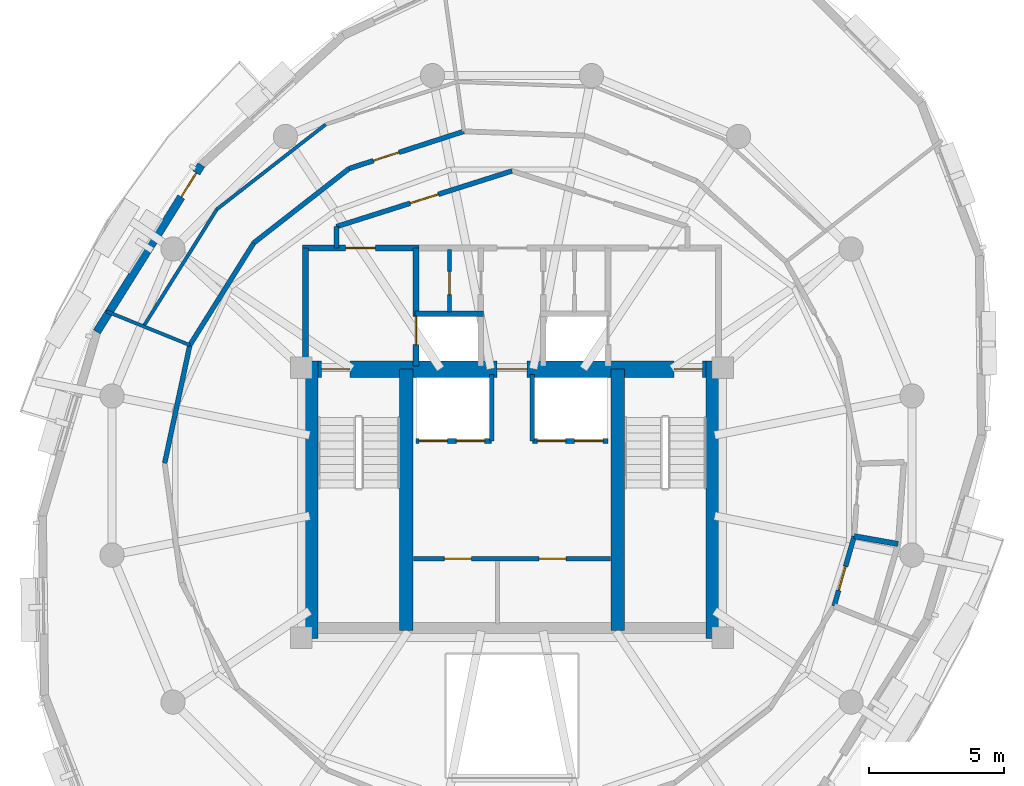
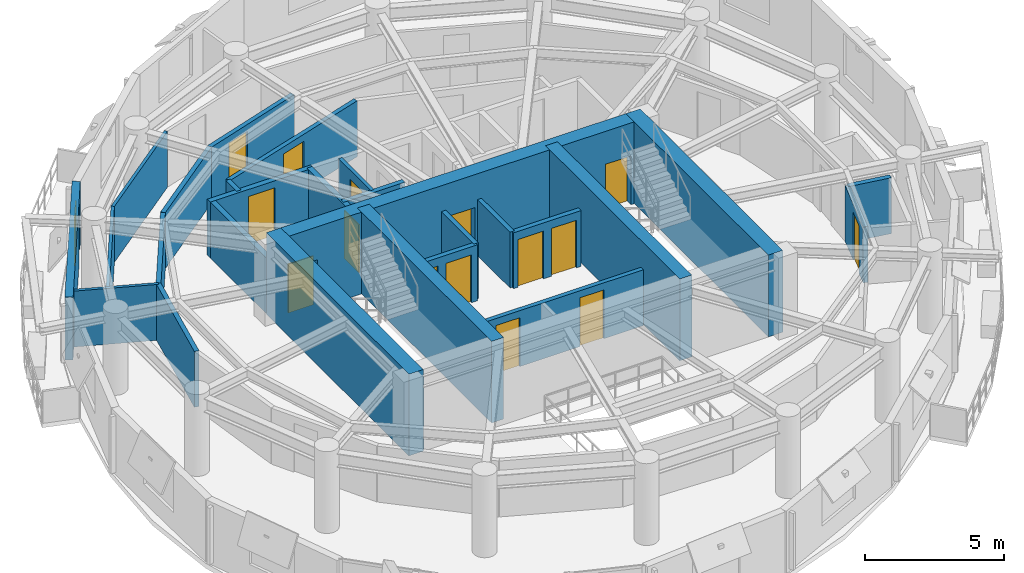
# One storey, part 7 of 11: 27 walls, 16 doors, 16 openings.
"""IFC4 building model written with IfcOpenShell, lengths in metres."""

from ifc_helpers import new_model, si_unit, direction, frame, frame_2d, origin, place, context, subcontext, project, spatial, rectangle, extrude, material, layer, layer_set, type_object, element, fill, save


model = new_model("IFC4")

# Units and contexts
model_context = context("Model", 3, precision=1e-05, world=origin(), true_north=direction((0.0, 1.0)))
body_context = subcontext(model_context, "Body", "Model", "MODEL_VIEW")
ifc_project = project(units=[si_unit("LENGTHUNIT", "METRE"), si_unit("AREAUNIT", "SQUARE_METRE"), si_unit("VOLUMEUNIT", "CUBIC_METRE"), si_unit("PLANEANGLEUNIT", "RADIAN"), si_unit("MASSUNIT", "GRAM", prefix="KILO"), si_unit("THERMODYNAMICTEMPERATUREUNIT", "KELVIN"), si_unit("POWERUNIT", "WATT")], contexts=[model_context])

# Site, building, storey
site_placement = place(None, origin())
site = spatial("IfcSite", under=ifc_project, at=site_placement, CompositionType="ELEMENT")
building_placement = place(site_placement, origin())
building = spatial("IfcBuilding", under=site, at=building_placement, Name="Ocrelia Relay Tower", CompositionType="ELEMENT")
storey_placement = place(building_placement, frame((0.0, 0.0, 270.0)))
storey = spatial("IfcBuildingStorey", under=building, at=storey_placement, Name="L67", CompositionType="ELEMENT", Elevation=270.0)

# Wall, openings, doors
ifc_material_1 = material(Name="Concrete C50/60", Category="concrete")
ifc_layer_1 = layer(ifc_material_1, 0.60009765625, Name="Concrete C50/60")
ifc_layer_set_1 = layer_set([ifc_layer_1], Name="Concrete C50/60")
wall_type_1 = type_object("IfcWallType", Name="CW-CORE-600B", PredefinedType="SHEAR", material=ifc_layer_set_1)
wall_1_placement = place(storey_placement, frame((26.221923828125, 29.93798828125, 0.0), z_axis=(0.0, 0.0, 1.0), x_axis=(1.0, 0.0, 0.0)))
wall_1 = element("IfcWall", 1, at=wall_1_placement, inside=storey, type_object=wall_type_1, Name="L67 Core Shear Wall N", PredefinedType="SHEAR", context=body_context, shape_type="SweptSolid", body=[
    extrude(rectangle(XDim=15.566162109375, YDim=0.60009765625, at=frame_2d((7.783203125, 0.0))), origin(), (0.0, 0.0, 1.0), 3.60009765625),
])
opening_1_placement = place(wall_1_placement, frame((0.72802734375, 0.0, 0.0)))
opening_1 = element("IfcOpeningElement", 2, at=opening_1_placement, cuts=wall_1, Name="Opening D-FD90", PredefinedType="OPENING", context=body_context, shape_type="SweptSolid", body=[
    extrude(rectangle(XDim=1.050048828125, YDim=2.14990234375, at=frame_2d((0.52490234375, 1.074951171875))), frame((0.0, 0.31005859375, 0.0), z_axis=(0.0, -1.0, 0.0), x_axis=(1.0, 0.0, 0.0)), (0.0, 0.0, 1.0), 0.6201171875),
])
opening_2_placement = place(wall_1_placement, frame((13.778076171875, 0.0, 0.0)))
opening_2 = element("IfcOpeningElement", 3, at=opening_2_placement, cuts=wall_1, Name="Opening D-FD90", PredefinedType="OPENING", context=body_context, shape_type="SweptSolid", body=[
    extrude(rectangle(XDim=1.050048828125, YDim=2.14990234375, at=frame_2d((0.52490234375, 1.074951171875))), frame((0.0, 0.31005859375, 0.0), z_axis=(0.0, -1.0, 0.0), x_axis=(1.0, 0.0, 0.0)), (0.0, 0.0, 1.0), 0.6201171875),
])
opening_3_placement = place(wall_1_placement, frame((7.22802734375, 0.0, 0.0)))
opening_3 = element("IfcOpeningElement", 4, at=opening_3_placement, cuts=wall_1, Name="Opening D-FD60", PredefinedType="OPENING", context=body_context, shape_type="SweptSolid", body=[
    extrude(rectangle(XDim=1.10009765625, YDim=2.14990234375, at=frame_2d((0.550048828125, 1.074951171875))), frame((0.0, 0.31005859375, 0.0), z_axis=(0.0, -1.0, 0.0), x_axis=(1.0, 0.0, 0.0)), (0.0, 0.0, 1.0), 0.6201171875),
])
ifc_material_2 = material(Name="Timber-core 60-min acoustic fire door", Category="wood")
door_type_1 = type_object("IfcDoorType", Name="DR-LOBBY-FD60-1100", OperationType="NOTDEFINED", PredefinedType="DOOR", material=ifc_material_2)
door_1_placement = place(opening_3_placement, origin())
door_1 = element("IfcDoor", 5, at=door_1_placement, inside=storey, type_object=door_type_1, Name="L67 Core Lift Lobby North Fire Door", OperationType="SINGLE_SWING_RIGHT", OverallHeight=2.14990234375, OverallWidth=1.10009765625, PredefinedType="DOOR", context=body_context, shape_type="SweptSolid", body=[
    extrude(rectangle(XDim=1.10009765625, YDim=2.14990234375, at=frame_2d((0.550048828125, 1.074951171875))), frame((0.0, 0.02490234375, 0.0), z_axis=(0.0, -1.0, 0.0), x_axis=(1.0, 0.0, 0.0)), (0.0, 0.0, 1.0), 0.050048828125),
])
fill(opening_3, door_1)
ifc_material_3 = material(Name="Steel S355 90-min fire door", Category="steel")
door_type_2 = type_object("IfcDoorType", Name="DR-STAIR-FD90-1050", OperationType="NOTDEFINED", PredefinedType="DOOR", material=ifc_material_3)
door_2_placement = place(opening_1_placement, origin())
door_2 = element("IfcDoor", 6, at=door_2_placement, inside=storey, type_object=door_type_2, Name="L67 Stair ST1 Fire Door", OperationType="SINGLE_SWING_RIGHT", OverallHeight=2.14990234375, OverallWidth=1.050048828125, PredefinedType="DOOR", context=body_context, shape_type="SweptSolid", body=[
    extrude(rectangle(XDim=1.050048828125, YDim=2.14990234375, at=frame_2d((0.52490234375, 1.074951171875))), frame((0.0, 0.02490234375, 0.0), z_axis=(0.0, -1.0, 0.0), x_axis=(1.0, 0.0, 0.0)), (0.0, 0.0, 1.0), 0.050048828125),
])
fill(opening_1, door_2)
door_3_placement = place(opening_2_placement, origin())
door_3 = element("IfcDoor", 7, at=door_3_placement, inside=storey, type_object=door_type_2, Name="L67 Stair ST2 Fire Door", OperationType="SINGLE_SWING_LEFT", OverallHeight=2.14990234375, OverallWidth=1.050048828125, PredefinedType="DOOR", context=body_context, shape_type="SweptSolid", body=[
    extrude(rectangle(XDim=1.050048828125, YDim=2.14990234375, at=frame_2d((0.52490234375, 1.074951171875))), frame((0.0, 0.02490234375, 0.0), z_axis=(0.0, -1.0, 0.0), x_axis=(1.0, 0.0, 0.0)), (0.0, 0.0, 1.0), 0.050048828125),
])
fill(opening_2, door_3)

# Walls
for number, where, z_axis, x_axis, name in (
    (8, (26.52197265625, 19.9619140625, 0.0), (0.0, 0.0, 1.0), (0.0, 1.0, 0.0), "L67 Core Shear Wall W"),
    (9, (41.488037109375, 19.9619140625, 0.0), (0.0, 0.0, 1.0), (0.0, 1.0, 0.0), "L67 Core Shear Wall E"),
):
    element("IfcWall", number, at=place(storey_placement, frame(where, z_axis=z_axis, x_axis=x_axis)), inside=storey, type_object=wall_type_1, Name=name, PredefinedType="SHEAR", context=body_context, shape_type="SweptSolid", body=[
        extrude(rectangle(XDim=10.276123046875, YDim=0.60009765625, at=frame_2d((5.13818359375, 0.0))), origin(), (0.0, 0.0, 1.0), 3.60009765625),
    ])
for number, where, z_axis, x_axis, name in (
    (10, (30.087890625, 20.261962890625, 0.0), (0.0, 0.0, 1.0), (0.0, 1.0, 0.0), "L67 Core Shear Wall SPW"),
    (11, (37.922119140625, 20.261962890625, 0.0), (0.0, 0.0, 1.0), (0.0, 1.0, 0.0), "L67 Core Shear Wall SPE"),
):
    element("IfcWall", number, at=place(storey_placement, frame(where, z_axis=z_axis, x_axis=x_axis)), inside=storey, type_object=wall_type_1, Name=name, PredefinedType="SHEAR", context=body_context, shape_type="SweptSolid", body=[
        extrude(rectangle(XDim=9.676025390625, YDim=0.5, at=frame_2d((4.837890625, 0.0))), origin(), (0.0, 0.0, 1.0), 3.60009765625),
    ])

# Wall, openings, doors
ifc_material_4 = material(Name="Gypsum Fireboard Partition EI60", Category="gypsum")
ifc_layer_2 = layer(ifc_material_4, 0.179931640625, Name="Gypsum Fireboard Partition EI60")
ifc_layer_set_2 = layer_set([ifc_layer_2], Name="Gypsum Fireboard Partition EI60")
wall_type_2 = type_object("IfcWallType", Name="W-CORR-EI60-180", PredefinedType="PARTITIONING", material=ifc_layer_set_2)
wall_2_placement = place(storey_placement, frame((30.35009765625, 22.919921875, 0.0), z_axis=(0.0, 0.0, 1.0), x_axis=(1.0, 0.0, 0.0)))
wall_2 = element("IfcWall", 12, at=wall_2_placement, inside=storey, type_object=wall_type_2, Name="L67 Reclaimed Core Room Partition", PredefinedType="PARTITIONING", context=body_context, shape_type="SweptSolid", body=[
    extrude(rectangle(XDim=7.2998046875, YDim=0.179931640625, at=frame_2d((3.64990234375, 0.0))), origin(), (0.0, 0.0, 1.0), 2.4599609375),
])
opening_4_placement = place(wall_2_placement, frame((1.14990234375, 0.0, 0.0)))
opening_4 = element("IfcOpeningElement", 13, at=opening_4_placement, cuts=wall_2, Name="Opening D-RM100", PredefinedType="OPENING", context=body_context, shape_type="SweptSolid", body=[
    extrude(rectangle(XDim=1.0, YDim=2.14990234375, at=frame_2d((0.5, 1.074951171875))), frame((0.0, 0.10009765625, 0.0), z_axis=(0.0, -1.0, 0.0), x_axis=(1.0, 0.0, 0.0)), (0.0, 0.0, 1.0), 0.199951171875),
])
opening_5_placement = place(wall_2_placement, frame((4.64990234375, 0.0, 0.0)))
opening_5 = element("IfcOpeningElement", 14, at=opening_5_placement, cuts=wall_2, Name="Opening D-RM100", PredefinedType="OPENING", context=body_context, shape_type="SweptSolid", body=[
    extrude(rectangle(XDim=1.0, YDim=2.14990234375, at=frame_2d((0.5, 1.074951171875))), frame((0.0, 0.10009765625, 0.0), z_axis=(0.0, -1.0, 0.0), x_axis=(1.0, 0.0, 0.0)), (0.0, 0.0, 1.0), 0.199951171875),
])
ifc_material_5 = material(Name="Acoustic oak veneer fire door", Category="wood")
door_type_3 = type_object("IfcDoorType", Name="DR-ROOM-FD60-1000", OperationType="NOTDEFINED", PredefinedType="DOOR", material=ifc_material_5)
door_4_placement = place(opening_4_placement, origin())
door_4 = element("IfcDoor", 15, at=door_4_placement, inside=storey, type_object=door_type_3, Name="L67 Reclaimed Core Room 1 Door", OperationType="SINGLE_SWING_RIGHT", OverallHeight=2.14990234375, OverallWidth=1.0, PredefinedType="DOOR", context=body_context, shape_type="SweptSolid", body=[
    extrude(rectangle(XDim=1.0, YDim=2.14990234375, at=frame_2d((0.5, 1.074951171875))), frame((0.0, 0.02490234375, 0.0), z_axis=(0.0, -1.0, 0.0), x_axis=(1.0, 0.0, 0.0)), (0.0, 0.0, 1.0), 0.050048828125),
])
fill(opening_4, door_4)
door_5_placement = place(opening_5_placement, origin())
door_5 = element("IfcDoor", 16, at=door_5_placement, inside=storey, type_object=door_type_3, Name="L67 Reclaimed Core Room 2 Door", OperationType="SINGLE_SWING_LEFT", OverallHeight=2.14990234375, OverallWidth=1.0, PredefinedType="DOOR", context=body_context, shape_type="SweptSolid", body=[
    extrude(rectangle(XDim=1.0, YDim=2.14990234375, at=frame_2d((0.5, 1.074951171875))), frame((0.0, 0.02490234375, 0.0), z_axis=(0.0, -1.0, 0.0), x_axis=(1.0, 0.0, 0.0)), (0.0, 0.0, 1.0), 0.050048828125),
])
fill(opening_5, door_5)

# Wall
wall_3_placement = place(storey_placement, frame((27.5, 34.429931640625, 0.0), z_axis=(0.0, 0.0, 1.0), x_axis=(0.0, 1.0, 0.0)))
element("IfcWall", 17, at=wall_3_placement, inside=storey, type_object=wall_type_2, Name="L67 Smoke Lobby West Return", PredefinedType="PARTITIONING", context=body_context, shape_type="SweptSolid", body=[
    extrude(rectangle(XDim=0.7890625, YDim=0.179931640625, at=frame_2d((0.39453125, 0.0))), origin(), (0.0, 0.0, 1.0), 2.4599609375),
])

# Wall, opening, door
wall_4_placement = place(storey_placement, frame((27.5, 35.218994140625, 0.0), z_axis=(0.0, 0.0, 1.0), x_axis=(0.953228121756, 0.302251795518, 0.0)))
wall_4 = element("IfcWall", 18, at=wall_4_placement, inside=storey, type_object=wall_type_2, Name="L67 North Smoke Lobby W Screen Wall", PredefinedType="PARTITIONING", context=body_context, shape_type="SweptSolid", body=[
    extrude(rectangle(XDim=6.81884765625, YDim=0.179931640625, at=frame_2d((3.409423828125, 0.0))), origin(), (0.0, 0.0, 1.0), 2.4599609375),
])
opening_6_placement = place(wall_4_placement, frame((2.859619140625, 0.0, 0.0)))
opening_6 = element("IfcOpeningElement", 19, at=opening_6_placement, cuts=wall_4, Name="Opening D-FD60", PredefinedType="OPENING", context=body_context, shape_type="SweptSolid", body=[
    extrude(rectangle(XDim=1.10009765625, YDim=2.14990234375, at=frame_2d((0.550048828125, 1.074951171875))), frame((0.0, 0.10009765625, 0.0), z_axis=(0.0, -1.0, 0.0), x_axis=(1.0, 0.0, 0.0)), (0.0, 0.0, 1.0), 0.199951171875),
])
door_6_placement = place(opening_6_placement, origin())
door_6 = element("IfcDoor", 20, at=door_6_placement, inside=storey, type_object=door_type_1, Name="L67 North Smoke Lobby W Fire Door", OperationType="SINGLE_SWING_RIGHT", OverallHeight=2.14990234375, OverallWidth=1.10009765625, PredefinedType="DOOR", context=body_context, shape_type="SweptSolid", body=[
    extrude(rectangle(XDim=1.10009765625, YDim=2.14990234375, at=frame_2d((0.550048828125, 1.074951171875))), frame((0.0, 0.02490234375, 0.0), z_axis=(0.0, -1.0, 0.0), x_axis=(1.0, 0.0, 0.0)), (0.0, 0.0, 1.0), 0.050048828125),
])
fill(opening_6, door_6)

wall_5_placement = place(storey_placement, frame((45.9287109375, 21.16845703125, 0.0), z_axis=(0.0, 0.0, 1.0), x_axis=(0.27648237713, 0.961018987917, 0.0)))
wall_5 = element("IfcWall", 21, at=wall_5_placement, inside=storey, type_object=wall_type_2, Name="L67 Staff Toilet Corridor Wall", PredefinedType="PARTITIONING", context=body_context, shape_type="SweptSolid", body=[
    extrude(rectangle(XDim=2.690673828125, YDim=0.179931640625, at=frame_2d((1.34521484375, 0.0))), origin(), (0.0, 0.0, 1.0), 2.4599609375),
])
opening_7_placement = place(wall_5_placement, frame((0.603271484375, 0.0, 0.0)))
opening_7 = element("IfcOpeningElement", 22, at=opening_7_placement, cuts=wall_5, Name="Opening D-WC92", PredefinedType="OPENING", context=body_context, shape_type="SweptSolid", body=[
    extrude(rectangle(XDim=0.919921875, YDim=2.10009765625, at=frame_2d((0.4599609375, 1.050048828125))), frame((0.0, 0.10009765625, 0.0), z_axis=(0.0, -1.0, 0.0), x_axis=(1.0, 0.0, 0.0)), (0.0, 0.0, 1.0), 0.199951171875),
])
ifc_material_6 = material(Name="Laminate washroom door", Category="wood")
door_type_4 = type_object("IfcDoorType", Name="DR-WC-920", OperationType="NOTDEFINED", PredefinedType="DOOR", material=ifc_material_6)
door_7_placement = place(opening_7_placement, origin())
door_7 = element("IfcDoor", 23, at=door_7_placement, inside=storey, type_object=door_type_4, Name="L67 Staff Toilet Door", OperationType="SINGLE_SWING_RIGHT", OverallHeight=2.10009765625, OverallWidth=0.919921875, PredefinedType="DOOR", context=body_context, shape_type="SweptSolid", body=[
    extrude(rectangle(XDim=0.919921875, YDim=2.10009765625, at=frame_2d((0.4599609375, 1.050048828125))), frame((0.0, 0.02490234375, 0.0), z_axis=(0.0, -1.0, 0.0), x_axis=(1.0, 0.0, 0.0)), (0.0, 0.0, 1.0), 0.050048828125),
])
fill(opening_7, door_7)

wall_6_placement = place(storey_placement, frame((32.219970703125, 38.746337890625, 0.0), z_axis=(0.0, 0.0, 1.0), x_axis=(-0.951331063375, -0.30817074465, 0.0)))
wall_6 = element("IfcWall", 24, at=wall_6_placement, inside=storey, type_object=wall_type_2, Name="L67 Antenna Chamber Studio Corridor Partition 1", PredefinedType="PARTITIONING", context=body_context, shape_type="SweptSolid", body=[
    extrude(rectangle(XDim=4.4697265625, YDim=0.179931640625, at=frame_2d((2.23486328125, 0.0))), origin(), (0.0, 0.0, 1.0), 2.4599609375),
])
opening_8_placement = place(wall_6_placement, frame((2.52734375, 0.0, 0.0)))
opening_8 = element("IfcOpeningElement", 25, at=opening_8_placement, cuts=wall_6, Name="Opening D-RM100", PredefinedType="OPENING", context=body_context, shape_type="SweptSolid", body=[
    extrude(rectangle(XDim=1.0, YDim=2.14990234375, at=frame_2d((0.5, 1.074951171875))), frame((0.0, 0.10009765625, 0.0), z_axis=(0.0, -1.0, 0.0), x_axis=(1.0, 0.0, 0.0)), (0.0, 0.0, 1.0), 0.199951171875),
])
door_8_placement = place(opening_8_placement, origin())
door_8 = element("IfcDoor", 26, at=door_8_placement, inside=storey, type_object=door_type_3, Name="L67 Antenna Chamber Studio Entrance Door", OperationType="SINGLE_SWING_LEFT", OverallHeight=2.14990234375, OverallWidth=1.0, PredefinedType="DOOR", context=body_context, shape_type="SweptSolid", body=[
    extrude(rectangle(XDim=1.0, YDim=2.14990234375, at=frame_2d((0.5, 1.074951171875))), frame((0.0, 0.02490234375, 0.0), z_axis=(0.0, -1.0, 0.0), x_axis=(1.0, 0.0, 0.0)), (0.0, 0.0, 1.0), 0.050048828125),
])
fill(opening_8, door_8)

# Walls
for number, where, z_axis, x_axis, name in (
    (27, (27.9677734375, 37.368896484375, 0.0), (0.0, 0.0, 1.0), (-0.78855157168, -0.614968632371, 0.0), "L67 Antenna Chamber Studio Corridor Partition 2"),
    (28, (24.443115234375, 34.6201171875, 0.0), (0.0, 0.0, 1.0), (-0.53063705057, -0.847599150874, 0.0), "L67 Antenna Chamber Studio Corridor Partition 3"),
):
    element("IfcWall", number, at=place(storey_placement, frame(where, z_axis=z_axis, x_axis=x_axis)), inside=storey, type_object=wall_type_2, Name=name, PredefinedType="PARTITIONING", context=body_context, shape_type="SweptSolid", body=[
        extrude(rectangle(XDim=4.4697265625, YDim=0.179931640625, at=frame_2d((2.23486328125, 0.0))), origin(), (0.0, 0.0, 1.0), 2.4599609375),
    ])
wall_7_placement = place(storey_placement, frame((22.0712890625, 30.83154296875, 0.0), z_axis=(0.0, 0.0, 1.0), x_axis=(-0.208768037522, -0.977965186757, 0.0)))
element("IfcWall", 29, at=wall_7_placement, inside=storey, type_object=wall_type_2, Name="L67 Satellite Telemetry Lab Corridor Partition 1", PredefinedType="PARTITIONING", context=body_context, shape_type="SweptSolid", body=[
    extrude(rectangle(XDim=4.469482421875, YDim=0.179931640625, at=frame_2d((2.23486328125, 0.0))), origin(), (0.0, 0.0, 1.0), 2.4599609375),
])

# Wall, opening, door
ifc_material_7 = material(Name="Precast concrete C40/50 with oxide terracotta", Category="masonry")
ifc_layer_3 = layer(ifc_material_7, 0.300048828125, Name="Precast concrete C40/50 with oxide terracotta")
ifc_layer_set_3 = layer_set([ifc_layer_3], Name="Precast concrete C40/50 with oxide terracotta")
wall_type_3 = type_object("IfcWallType", Name="W-EXT-TERR-300", PredefinedType="SOLIDWALL", material=ifc_layer_set_3)
wall_8_placement = place(storey_placement, frame((22.496337890625, 37.504638671875, 0.0), z_axis=(0.0, 0.0, 1.0), x_axis=(-0.530648729616, -0.847591839129, 0.0)))
wall_8 = element("IfcWall", 30, at=wall_8_placement, inside=storey, type_object=wall_type_3, Name="L67 Oxide Terracotta Facade Wall 05", PredefinedType="SOLIDWALL", context=body_context, shape_type="SweptSolid", body=[
    extrude(rectangle(XDim=7.293212890625, YDim=0.300048828125, at=frame_2d((3.646484375, 0.0))), origin(), (0.0, 0.0, 1.0), 2.760009765625),
])
opening_9_placement = place(wall_8_placement, frame((0.35009765625, 0.0, 0.0)))
opening_9 = element("IfcOpeningElement", 31, at=opening_9_placement, cuts=wall_8, Name="Opening DB-105", PredefinedType="OPENING", context=body_context, shape_type="SweptSolid", body=[
    extrude(rectangle(XDim=1.050048828125, YDim=2.14990234375, at=frame_2d((0.52490234375, 1.074951171875))), frame((0.0, 0.16015625, 0.0), z_axis=(0.0, -1.0, 0.0), x_axis=(1.0, 0.0, 0.0)), (0.0, 0.0, 1.0), 0.320068359375),
])
ifc_material_8 = material(Name="Thermally broken aluminium and clear glass", Category="aluminium")
door_type_5 = type_object("IfcDoorType", Name="DR-BALC-1050", OperationType="NOTDEFINED", PredefinedType="DOOR", material=ifc_material_8)
door_9_placement = place(opening_9_placement, origin())
door_9 = element("IfcDoor", 32, at=door_9_placement, inside=storey, type_object=door_type_5, Name="L67 Planted Loggia Balcony Door B1", OperationType="SINGLE_SWING_LEFT", OverallHeight=2.14990234375, OverallWidth=1.050048828125, PredefinedType="DOOR", context=body_context, shape_type="SweptSolid", body=[
    extrude(rectangle(XDim=1.050048828125, YDim=2.14990234375, at=frame_2d((0.52490234375, 1.074951171875))), frame((0.0, 0.02490234375, 0.0), z_axis=(0.0, -1.0, 0.0), x_axis=(1.0, 0.0, 0.0)), (0.0, 0.0, 1.0), 0.050048828125),
])
fill(opening_9, door_9)

# Wall
ifc_layer_4 = layer(ifc_material_1, 0.219970703125, Name="Concrete C50/60")
ifc_layer_set_4 = layer_set([ifc_layer_4], Name="Concrete C50/60")
wall_type_4 = type_object("IfcWallType", Name="W-FFL-EI120-220", PredefinedType="SOLIDWALL", material=ifc_layer_set_4)
wall_9_placement = place(storey_placement, frame((26.35009765625, 30.050048828125, 0.0), z_axis=(0.0, 0.0, 1.0), x_axis=(0.0, 1.0, 0.0)))
element("IfcWall", 33, at=wall_9_placement, inside=storey, type_object=wall_type_4, Name="L67 W Fire Service Lift Lobby West Wall", PredefinedType="SOLIDWALL", context=body_context, shape_type="SweptSolid", body=[
    extrude(rectangle(XDim=4.3798828125, YDim=0.219970703125, at=frame_2d((2.18994140625, 0.0))), origin(), (0.0, 0.0, 1.0), 2.4599609375),
])

# Wall, opening, door
wall_10_placement = place(storey_placement, frame((30.43994140625, 30.050048828125, 0.0), z_axis=(0.0, 0.0, 1.0), x_axis=(0.0, 1.0, 0.0)))
wall_10 = element("IfcWall", 34, at=wall_10_placement, inside=storey, type_object=wall_type_4, Name="L67 W Fire Service Lift Lobby East Wall", PredefinedType="SOLIDWALL", context=body_context, shape_type="SweptSolid", body=[
    extrude(rectangle(XDim=4.3798828125, YDim=0.219970703125, at=frame_2d((2.18994140625, 0.0))), origin(), (0.0, 0.0, 1.0), 2.4599609375),
])
opening_10_placement = place(wall_10_placement, frame((0.800048828125, 0.0, 0.0)))
opening_10 = element("IfcOpeningElement", 35, at=opening_10_placement, cuts=wall_10, Name="Opening LD-FFL1", PredefinedType="OPENING", context=body_context, shape_type="SweptSolid", body=[
    extrude(rectangle(XDim=1.050048828125, YDim=2.10009765625, at=frame_2d((0.52490234375, 1.050048828125))), frame((0.0, 0.1201171875, 0.0), z_axis=(0.0, -1.0, 0.0), x_axis=(1.0, 0.0, 0.0)), (0.0, 0.0, 1.0), 0.239990234375),
])
ifc_material_9 = material(Name="Brushed stainless steel S355 lift landing door", Category="steel")
door_type_6 = type_object("IfcDoorType", Name="DR-LIFT-LAND-1050", OperationType="DOUBLE_DOOR_SLIDING", PredefinedType="USERDEFINED", material=ifc_material_9)
door_10_placement = place(opening_10_placement, origin())
door_10 = element("IfcDoor", 36, at=door_10_placement, inside=storey, type_object=door_type_6, Name="L67 Firefighting Lift FFL1 Sliding Landing Door", ObjectType="LANDING DOOR", OperationType="DOUBLE_DOOR_SLIDING", OverallHeight=2.10009765625, OverallWidth=1.050048828125, PredefinedType="USERDEFINED", context=body_context, shape_type="SweptSolid", body=[
    extrude(rectangle(XDim=1.050048828125, YDim=2.10009765625, at=frame_2d((0.52490234375, 1.050048828125))), frame((0.0, 0.02490234375, 0.0), z_axis=(0.0, -1.0, 0.0), x_axis=(1.0, 0.0, 0.0)), (0.0, 0.0, 1.0), 0.050048828125),
])
fill(opening_10, door_10)

wall_11_placement = place(storey_placement, frame((26.239990234375, 34.429931640625, 0.0), z_axis=(0.0, 0.0, 1.0), x_axis=(1.0, 0.0, 0.0)))
wall_11 = element("IfcWall", 37, at=wall_11_placement, inside=storey, type_object=wall_type_4, Name="L67 W Fire Service Lift Lobby North Wall", PredefinedType="SOLIDWALL", context=body_context, shape_type="SweptSolid", body=[
    extrude(rectangle(XDim=4.31005859375, YDim=0.219970703125, at=frame_2d((2.155029296875, 0.0))), origin(), (0.0, 0.0, 1.0), 2.4599609375),
])
opening_11_placement = place(wall_11_placement, frame((1.60009765625, 0.0, 0.0)))
opening_11 = element("IfcOpeningElement", 38, at=opening_11_placement, cuts=wall_11, Name="Opening D-FD60", PredefinedType="OPENING", context=body_context, shape_type="SweptSolid", body=[
    extrude(rectangle(XDim=1.10009765625, YDim=2.14990234375, at=frame_2d((0.550048828125, 1.074951171875))), frame((0.0, 0.1201171875, 0.0), z_axis=(0.0, -1.0, 0.0), x_axis=(1.0, 0.0, 0.0)), (0.0, 0.0, 1.0), 0.239990234375),
])
door_11_placement = place(opening_11_placement, origin())
door_11 = element("IfcDoor", 39, at=door_11_placement, inside=storey, type_object=door_type_1, Name="L67 W Fire Service Lift Lobby Exit Door", OperationType="SINGLE_SWING_LEFT", OverallHeight=2.14990234375, OverallWidth=1.10009765625, PredefinedType="DOOR", context=body_context, shape_type="SweptSolid", body=[
    extrude(rectangle(XDim=1.10009765625, YDim=2.14990234375, at=frame_2d((0.550048828125, 1.074951171875))), frame((0.0, 0.02490234375, 0.0), z_axis=(0.0, -1.0, 0.0), x_axis=(1.0, 0.0, 0.0)), (0.0, 0.0, 1.0), 0.050048828125),
])
fill(opening_11, door_11)

# Walls
ifc_material_10 = material(Name="Acoustic Fireboard Partition EI60", Category="gypsum")
ifc_layer_5 = layer(ifc_material_10, 0.125, Name="Acoustic Fireboard Partition EI60")
ifc_layer_set_5 = layer_set([ifc_layer_5], Name="Acoustic Fireboard Partition EI60")
wall_type_5 = type_object("IfcWallType", Name="W-PART-125", PredefinedType="PARTITIONING", material=ifc_layer_set_5)
wall_12_placement = place(storey_placement, frame((22.0712890625, 30.83154296875, 0.0), z_axis=(0.0, 0.0, 1.0), x_axis=(-0.92686060816, 0.375405664637, 0.0)))
element("IfcWall", 40, at=wall_12_placement, inside=storey, type_object=wall_type_5, Name="L67 Antenna Chamber Studio Radial Partition", PredefinedType="PARTITIONING", context=body_context, shape_type="SweptSolid", body=[
    extrude(rectangle(XDim=3.3310546875, YDim=0.125, at=frame_2d((1.66552734375, 0.0))), origin(), (0.0, 0.0, 1.0), 2.4599609375),
])
wall_13_placement = place(storey_placement, frame((27.1005859375, 39.0029296875, 0.0), z_axis=(0.0, 0.0, 1.0), x_axis=(-0.78853889841, -0.614984882492, 0.0)))
element("IfcWall", 41, at=wall_13_placement, inside=storey, type_object=wall_type_5, Name="L67 Perimeter Antenna Chamber Studio Mid-Ring Partition 2", PredefinedType="PARTITIONING", context=body_context, shape_type="SweptSolid", body=[
    extrude(rectangle(XDim=5.112060546875, YDim=0.125, at=frame_2d((2.55615234375, 0.0))), origin(), (0.0, 0.0, 1.0), 2.4599609375),
])
wall_14_placement = place(storey_placement, frame((23.069580078125, 35.859130859375, 0.0), z_axis=(0.0, 0.0, 1.0), x_axis=(-0.530668436663, -0.84757950089, 0.0)))
element("IfcWall", 42, at=wall_14_placement, inside=storey, type_object=wall_type_5, Name="L67 Perimeter Antenna Chamber Studio Mid-Ring Partition 3", PredefinedType="PARTITIONING", context=body_context, shape_type="SweptSolid", body=[
    extrude(rectangle(XDim=5.1123046875, YDim=0.125, at=frame_2d((2.55615234375, 0.0))), origin(), (0.0, 0.0, 1.0), 2.4599609375),
])

# Wall, opening, door
ifc_layer_6 = layer(ifc_material_10, 0.14990234375, Name="Acoustic Fireboard Partition EI60")
ifc_layer_set_6 = layer_set([ifc_layer_6], Name="Acoustic Fireboard Partition EI60")
wall_type_6 = type_object("IfcWallType", Name="W-PART-150", PredefinedType="PARTITIONING", material=ifc_layer_set_6)
wall_15_placement = place(storey_placement, frame((31.68994140625, 32.050048828125, 0.0), z_axis=(0.0, 0.0, 1.0), x_axis=(0.0, 1.0, 0.0)))
wall_15 = element("IfcWall", 43, at=wall_15_placement, inside=storey, type_object=wall_type_6, Name="L67 West Core Support Partition", PredefinedType="PARTITIONING", context=body_context, shape_type="SweptSolid", body=[
    extrude(rectangle(XDim=2.329833984375, YDim=0.14990234375, at=frame_2d((1.1650390625, 0.0))), origin(), (0.0, 0.0, 1.0), 2.4599609375),
])
opening_12_placement = place(wall_15_placement, frame((0.64990234375, 0.0, 0.0)))
opening_12 = element("IfcOpeningElement", 44, at=opening_12_placement, cuts=wall_15, Name="Opening D-RS86", PredefinedType="OPENING", context=body_context, shape_type="SweptSolid", body=[
    extrude(rectangle(XDim=0.860107421875, YDim=2.050048828125, at=frame_2d((0.43017578125, 1.02490234375))), frame((0.0, 0.0849609375, 0.0), z_axis=(0.0, -1.0, 0.0), x_axis=(1.0, 0.0, 0.0)), (0.0, 0.0, 1.0), 0.169921875),
])
ifc_material_11 = material(Name="Steel S355 riser access fire door", Category="steel")
door_type_7 = type_object("IfcDoorType", Name="DR-RISER-TRAP-860", OperationType="NOTDEFINED", PredefinedType="TRAPDOOR", material=ifc_material_11)
door_12_placement = place(opening_12_placement, origin())
door_12 = element("IfcDoor", 45, at=door_12_placement, inside=storey, type_object=door_type_7, Name="L67 West Core Store Connecting Door", OperationType="SINGLE_SWING_RIGHT", OverallHeight=2.050048828125, OverallWidth=0.860107421875, PredefinedType="TRAPDOOR", context=body_context, shape_type="SweptSolid", body=[
    extrude(rectangle(XDim=0.860107421875, YDim=2.050048828125, at=frame_2d((0.43017578125, 1.02490234375))), frame((0.0, 0.02490234375, 0.0), z_axis=(0.0, -1.0, 0.0), x_axis=(1.0, 0.0, 0.0)), (0.0, 0.0, 1.0), 0.050048828125),
])
fill(opening_12, door_12)

# Walls
ifc_material_12 = material(Name="Moisture-Resistant Fireboard Chase Wall EI60", Category="gypsum")
ifc_layer_7 = layer(ifc_material_12, 0.199951171875, Name="Moisture-Resistant Fireboard Chase Wall EI60")
ifc_layer_set_7 = layer_set([ifc_layer_7], Name="Moisture-Resistant Fireboard Chase Wall EI60")
wall_type_7 = type_object("IfcWallType", Name="W-PLUMB-200", PredefinedType="PLUMBINGWALL", material=ifc_layer_set_7)
wall_16_placement = place(storey_placement, frame((46.672607421875, 23.754150390625, 0.0), z_axis=(0.0, 0.0, 1.0), x_axis=(0.984662652709, -0.174469081386, 0.0)))
element("IfcWall", 46, at=wall_16_placement, inside=storey, type_object=wall_type_7, Name="L67 Staff Toilet Plumbing Radial Wall", PredefinedType="PLUMBINGWALL", context=body_context, shape_type="SweptSolid", body=[
    extrude(rectangle(XDim=1.64990234375, YDim=0.199951171875, at=frame_2d((0.824951171875, 0.0))), origin(), (0.0, 0.0, 1.0), 2.4599609375),
])
ifc_layer_8 = layer(ifc_material_1, 0.199951171875, Name="Concrete C50/60")
ifc_layer_set_8 = layer_set([ifc_layer_8], Name="Concrete C50/60")
wall_type_8 = type_object("IfcWallType", Name="W-SHAFT-EI120-200", PredefinedType="SOLIDWALL", material=ifc_layer_set_8)
wall_17_placement = place(storey_placement, frame((30.39990234375, 32.0, 0.0), z_axis=(0.0, 0.0, 1.0), x_axis=(1.0, 0.0, 0.0)))
element("IfcWall", 47, at=wall_17_placement, inside=storey, type_object=wall_type_8, Name="L67 FFL1 Hoistway North Wall", PredefinedType="SOLIDWALL", context=body_context, shape_type="SweptSolid", body=[
    extrude(rectangle(XDim=2.550048828125, YDim=0.199951171875, at=frame_2d((1.27490234375, 0.0))), origin(), (0.0, 0.0, 1.0), 2.4599609375),
])

# Wall, openings, doors
wall_18_placement = place(storey_placement, frame((30.43994140625, 27.280029296875, 0.0), z_axis=(0.0, 0.0, 1.0), x_axis=(1.0, 0.0, 0.0)))
wall_18 = element("IfcWall", 48, at=wall_18_placement, inside=storey, type_object=wall_type_8, Name="L67 High-Rise Lift Hoistway Wall W", PredefinedType="SOLIDWALL", context=body_context, shape_type="SweptSolid", body=[
    extrude(rectangle(XDim=2.81005859375, YDim=0.199951171875, at=frame_2d((1.405029296875, 0.0))), origin(), (0.0, 0.0, 1.0), 2.4599609375),
])
opening_13_placement = place(wall_18_placement, frame((0.1201171875, 0.0, 0.0)))
opening_13 = element("IfcOpeningElement", 49, at=opening_13_placement, cuts=wall_18, Name="Opening LD-PL5", PredefinedType="OPENING", context=body_context, shape_type="SweptSolid", body=[
    extrude(rectangle(XDim=1.050048828125, YDim=2.10009765625, at=frame_2d((0.52490234375, 1.050048828125))), frame((0.0, 0.10986328125, 0.0), z_axis=(0.0, -1.0, 0.0), x_axis=(1.0, 0.0, 0.0)), (0.0, 0.0, 1.0), 0.219970703125),
])
opening_14_placement = place(wall_18_placement, frame((1.5, 0.0, 0.0)))
opening_14 = element("IfcOpeningElement", 50, at=opening_14_placement, cuts=wall_18, Name="Opening LD-PL6", PredefinedType="OPENING", context=body_context, shape_type="SweptSolid", body=[
    extrude(rectangle(XDim=1.050048828125, YDim=2.10009765625, at=frame_2d((0.52490234375, 1.050048828125))), frame((0.0, 0.10986328125, 0.0), z_axis=(0.0, -1.0, 0.0), x_axis=(1.0, 0.0, 0.0)), (0.0, 0.0, 1.0), 0.219970703125),
])
door_13_placement = place(opening_13_placement, origin())
door_13 = element("IfcDoor", 51, at=door_13_placement, inside=storey, type_object=door_type_6, Name="L67 High-Rise Lift PL5 Sliding Landing Door", ObjectType="LANDING DOOR", OperationType="DOUBLE_DOOR_SLIDING", OverallHeight=2.10009765625, OverallWidth=1.050048828125, PredefinedType="USERDEFINED", context=body_context, shape_type="SweptSolid", body=[
    extrude(rectangle(XDim=1.050048828125, YDim=2.10009765625, at=frame_2d((0.52490234375, 1.050048828125))), frame((0.0, 0.02490234375, 0.0), z_axis=(0.0, -1.0, 0.0), x_axis=(1.0, 0.0, 0.0)), (0.0, 0.0, 1.0), 0.050048828125),
])
fill(opening_13, door_13)
door_14_placement = place(opening_14_placement, origin())
door_14 = element("IfcDoor", 52, at=door_14_placement, inside=storey, type_object=door_type_6, Name="L67 High-Rise Lift PL6 Sliding Landing Door", ObjectType="LANDING DOOR", OperationType="DOUBLE_DOOR_SLIDING", OverallHeight=2.10009765625, OverallWidth=1.050048828125, PredefinedType="USERDEFINED", context=body_context, shape_type="SweptSolid", body=[
    extrude(rectangle(XDim=1.050048828125, YDim=2.10009765625, at=frame_2d((0.52490234375, 1.050048828125))), frame((0.0, 0.02490234375, 0.0), z_axis=(0.0, -1.0, 0.0), x_axis=(1.0, 0.0, 0.0)), (0.0, 0.0, 1.0), 0.050048828125),
])
fill(opening_14, door_14)

# Wall
wall_19_placement = place(storey_placement, frame((33.25, 27.280029296875, 0.0), z_axis=(0.0, 0.0, 1.0), x_axis=(0.0, 1.0, 0.0)))
element("IfcWall", 53, at=wall_19_placement, inside=storey, type_object=wall_type_8, Name="L67 High-Rise Lift Throat Wall W", PredefinedType="SOLIDWALL", context=body_context, shape_type="SweptSolid", body=[
    extrude(rectangle(XDim=2.469970703125, YDim=0.179931640625, at=frame_2d((1.23486328125, 0.0))), origin(), (0.0, 0.0, 1.0), 2.4599609375),
])

# Wall, openings, doors
wall_20_placement = place(storey_placement, frame((34.75, 27.280029296875, 0.0), z_axis=(0.0, 0.0, 1.0), x_axis=(1.0, 0.0, 0.0)))
wall_20 = element("IfcWall", 54, at=wall_20_placement, inside=storey, type_object=wall_type_8, Name="L67 High-Rise Lift Hoistway Wall E", PredefinedType="SOLIDWALL", context=body_context, shape_type="SweptSolid", body=[
    extrude(rectangle(XDim=2.81005859375, YDim=0.199951171875, at=frame_2d((1.405029296875, 0.0))), origin(), (0.0, 0.0, 1.0), 2.4599609375),
])
opening_15_placement = place(wall_20_placement, frame((0.18994140625, 0.0, 0.0)))
opening_15 = element("IfcOpeningElement", 55, at=opening_15_placement, cuts=wall_20, Name="Opening LD-PL7", PredefinedType="OPENING", context=body_context, shape_type="SweptSolid", body=[
    extrude(rectangle(XDim=1.050048828125, YDim=2.10009765625, at=frame_2d((0.52490234375, 1.050048828125))), frame((0.0, 0.10986328125, 0.0), z_axis=(0.0, -1.0, 0.0), x_axis=(1.0, 0.0, 0.0)), (0.0, 0.0, 1.0), 0.219970703125),
])
opening_16_placement = place(wall_20_placement, frame((1.570068359375, 0.0, 0.0)))
opening_16 = element("IfcOpeningElement", 56, at=opening_16_placement, cuts=wall_20, Name="Opening LD-PL8", PredefinedType="OPENING", context=body_context, shape_type="SweptSolid", body=[
    extrude(rectangle(XDim=1.050048828125, YDim=2.10009765625, at=frame_2d((0.52490234375, 1.050048828125))), frame((0.0, 0.10986328125, 0.0), z_axis=(0.0, -1.0, 0.0), x_axis=(1.0, 0.0, 0.0)), (0.0, 0.0, 1.0), 0.219970703125),
])
door_15_placement = place(opening_15_placement, origin())
door_15 = element("IfcDoor", 57, at=door_15_placement, inside=storey, type_object=door_type_6, Name="L67 High-Rise Lift PL7 Sliding Landing Door", ObjectType="LANDING DOOR", OperationType="DOUBLE_DOOR_SLIDING", OverallHeight=2.10009765625, OverallWidth=1.050048828125, PredefinedType="USERDEFINED", context=body_context, shape_type="SweptSolid", body=[
    extrude(rectangle(XDim=1.050048828125, YDim=2.10009765625, at=frame_2d((0.52490234375, 1.050048828125))), frame((0.0, 0.02490234375, 0.0), z_axis=(0.0, -1.0, 0.0), x_axis=(1.0, 0.0, 0.0)), (0.0, 0.0, 1.0), 0.050048828125),
])
fill(opening_15, door_15)
door_16_placement = place(opening_16_placement, origin())
door_16 = element("IfcDoor", 58, at=door_16_placement, inside=storey, type_object=door_type_6, Name="L67 High-Rise Lift PL8 Sliding Landing Door", ObjectType="LANDING DOOR", OperationType="DOUBLE_DOOR_SLIDING", OverallHeight=2.10009765625, OverallWidth=1.050048828125, PredefinedType="USERDEFINED", context=body_context, shape_type="SweptSolid", body=[
    extrude(rectangle(XDim=1.050048828125, YDim=2.10009765625, at=frame_2d((0.52490234375, 1.050048828125))), frame((0.0, 0.02490234375, 0.0), z_axis=(0.0, -1.0, 0.0), x_axis=(1.0, 0.0, 0.0)), (0.0, 0.0, 1.0), 0.050048828125),
])
fill(opening_16, door_16)

# Wall
wall_21_placement = place(storey_placement, frame((34.75, 27.280029296875, 0.0), z_axis=(0.0, 0.0, 1.0), x_axis=(0.0, 1.0, 0.0)))
element("IfcWall", 59, at=wall_21_placement, inside=storey, type_object=wall_type_8, Name="L67 High-Rise Lift Throat Wall E", PredefinedType="SOLIDWALL", context=body_context, shape_type="SweptSolid", body=[
    extrude(rectangle(XDim=2.469970703125, YDim=0.179931640625, at=frame_2d((1.23486328125, 0.0))), origin(), (0.0, 0.0, 1.0), 2.4599609375),
])

save(model, "model.ifc")
